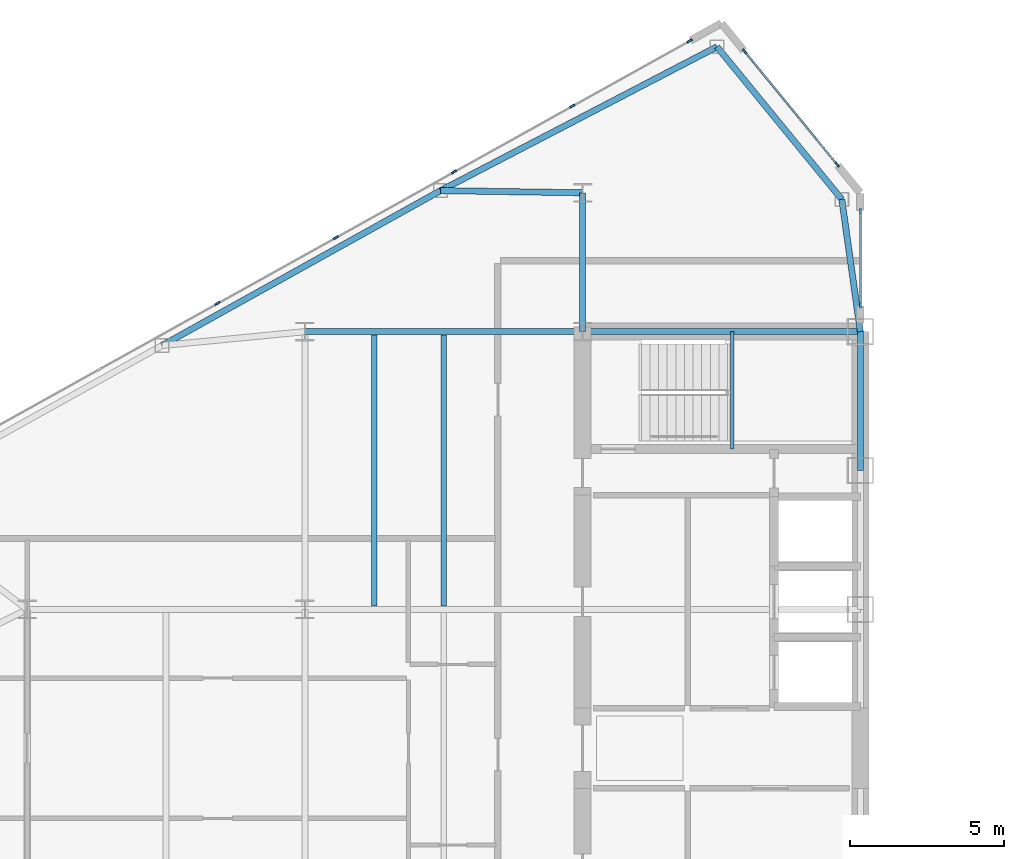
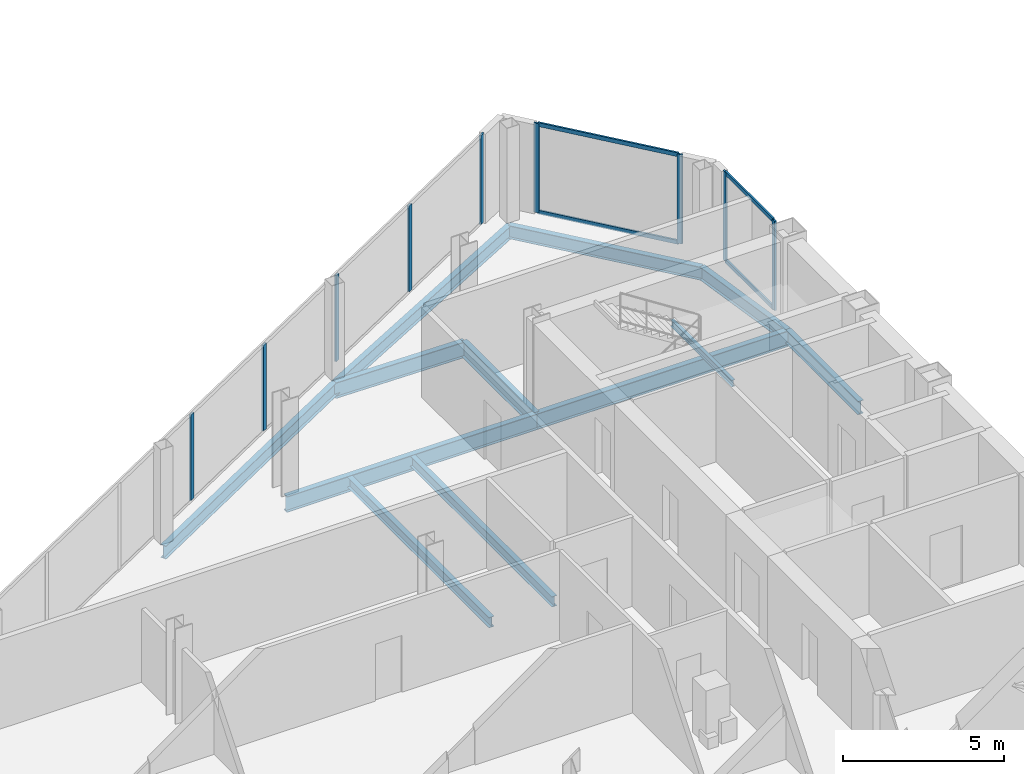
# One storey, part 10 of 25: 13 members, 12 beams, 3 elements without a shape of their own.
"""IFC4 building model written with IfcOpenShell, lengths in metres."""

from ifc_helpers import new_model, si_unit, direction, frame, origin, origin_2d, place, context, subcontext, project, spatial, rectangle, i_section, extrude, source, transform, mapped, material, layer, layer_set, material_profile, profile_set, type_object, type_shapes, element, aggregate, save


model = new_model("IFC4")

# Units and contexts
model_context = context("Model", 3, precision=1e-05, world=origin(), true_north=direction((0.0, 1.0)))
body_context = subcontext(model_context, "Body", "Model", "MODEL_VIEW")
ifc_project = project(units=[si_unit("LENGTHUNIT", "METRE"), si_unit("AREAUNIT", "SQUARE_METRE"), si_unit("VOLUMEUNIT", "CUBIC_METRE"), si_unit("PLANEANGLEUNIT", "RADIAN"), si_unit("MASSUNIT", "GRAM", prefix="KILO")], contexts=[model_context])

# Site, building, storey
site_placement = place(None, origin())
site = spatial("IfcSite", under=ifc_project, at=site_placement, CompositionType="ELEMENT")
building_placement = place(site_placement, origin())
building = spatial("IfcBuilding", under=site, at=building_placement, Name="Seokmaru Belvedere", CompositionType="ELEMENT")
storey_placement = place(building_placement, frame((0.0, 0.0, 188.699951171875)))
storey = spatial("IfcBuildingStorey", under=building, at=storey_placement, Name="L50", CompositionType="ELEMENT", Elevation=188.699951171875)

# Beams
ifc_material_1 = material(Name="Steel SM355 (355 MPa)", Category="steel")
ifc_material_profile_1 = material_profile(ifc_material_1, i_section(OverallWidth=0.199951171875, OverallDepth=0.5, WebThickness=0.010009765625, FlangeThickness=0.01611328125, at=origin_2d()), Name="H-500x200x10x16")
ifc_profile_set_1 = profile_set([ifc_material_profile_1], Name="Steel SM355 (355 MPa)")
beam_type_1 = type_object("IfcBeamType", Name="Perimeter Spandrel Beam H-500", PredefinedType="SPANDREL", material=ifc_profile_set_1)
shared_shape_1 = source(origin(), body_context, "Body", "SweptSolid", [
    extrude(i_section(OverallWidth=0.199951171875, OverallDepth=0.5, WebThickness=0.010009765625, FlangeThickness=0.01611328125, at=origin_2d()), origin(), (0.0, 0.0, 1.0), 4.5),
])
beam_1_placement = place(storey_placement, frame((-27.5, 9.0, -0.469970703125), z_axis=(0.0, 1.0, 0.0), x_axis=(-1.0, 0.0, 0.0)))
element("IfcBeam", 1, at=beam_1_placement, inside=storey, type_object=beam_type_1, Name="L50 W Portal Spine Spandrel 5", PredefinedType="SPANDREL", context=body_context, shape_type="MappedRepresentation", body=[
    mapped(shared_shape_1, transform((0.0, 0.0, 0.0), scale=1.0)),
])
ifc_material_profile_2 = material_profile(ifc_material_1, i_section(OverallWidth=0.199951171875, OverallDepth=0.60009765625, WebThickness=0.010986328125, FlangeThickness=0.01708984375, at=origin_2d()), Name="H-600x200x11x17")
ifc_profile_set_2 = profile_set([ifc_material_profile_2], Name="Steel SM355 (355 MPa)")
beam_type_2 = type_object("IfcBeamType", Name="Primary Floor Girder H-600", PredefinedType="BEAM", material=ifc_profile_set_2)
shared_shape_2 = source(origin(), body_context, "Body", "SweptSolid", [
    extrude(i_section(OverallWidth=0.199951171875, OverallDepth=0.60009765625, WebThickness=0.010986328125, FlangeThickness=0.01708984375, at=origin_2d()), origin(), (0.0, 0.0, 1.0), 9.0),
])
for number, where, z_axis, x_axis, name in (
    (2, (-36.5, 13.5, -0.52001953125), (1.0, 0.0, 0.0), (0.0, 1.0, 0.0), "L50 W Core Tie Girder 4"),
    (3, (-45.5, 13.5, -0.52001953125), (1.0, 0.0, 0.0), (0.0, 1.0, 0.0), "L50 W Wing Primary Girder 4"),
):
    element("IfcBeam", number, at=place(storey_placement, frame(where, z_axis=z_axis, x_axis=x_axis)), inside=storey, type_object=beam_type_2, Name=name, PredefinedType="BEAM", context=body_context, shape_type="MappedRepresentation", body=[
        mapped(shared_shape_2, transform((0.0, 0.0, 0.0), scale=1.0)),
    ])
ifc_material_profile_3 = material_profile(ifc_material_1, i_section(OverallWidth=0.18505859375, OverallDepth=0.389892578125, WebThickness=0.008056640625, FlangeThickness=0.011962890625, at=origin_2d()), Name="H-390x185x8x12")
ifc_profile_set_3 = profile_set([ifc_material_profile_3], Name="Steel SM355 (355 MPa)")
beam_type_3 = type_object("IfcBeamType", Name="Secondary Floor Joist H-350", PredefinedType="JOIST", material=ifc_profile_set_3)
shared_shape_3 = source(origin(), body_context, "Body", "SweptSolid", [
    extrude(i_section(OverallWidth=0.18505859375, OverallDepth=0.389892578125, WebThickness=0.008056640625, FlangeThickness=0.011962890625, at=origin_2d()), origin(), (0.0, 0.0, 1.0), 8.7900390625),
])
type_shapes(beam_type_3, [shared_shape_3])
for number, where, z_axis, x_axis, name in (
    (4, (-43.25, 4.60498046875, -0.4150390625), (0.0, 1.0, 0.0), (-1.0, 0.0, 0.0), "L50 W Wing Inner Secondary Joist 2"),
    (5, (-41.0, 4.60498046875, -0.4150390625), (0.0, 1.0, 0.0), (-1.0, 0.0, 0.0), "L50 W Secondary Floor Joist 3"),
):
    element("IfcBeam", number, at=place(storey_placement, frame(where, z_axis=z_axis, x_axis=x_axis)), inside=storey, type_object=beam_type_3, Name=name, PredefinedType="JOIST", context=body_context, shape_type="MappedRepresentation", body=[
        mapped(shared_shape_3, transform((0.0, 0.0, 0.0), scale=1.0)),
    ])
shared_shape_4 = source(origin(), body_context, "Body", "SweptSolid", [
    extrude(i_section(OverallWidth=0.199951171875, OverallDepth=0.60009765625, WebThickness=0.010986328125, FlangeThickness=0.01708984375, at=origin_2d()), origin(), (0.0, 0.0, 1.0), 4.5),
])
beam_2_placement = place(storey_placement, frame((-36.5, 13.5, -0.52001953125), z_axis=(0.0, 1.0, 0.0), x_axis=(-1.0, 0.0, 0.0)))
element("IfcBeam", 6, at=beam_2_placement, inside=storey, type_object=beam_type_2, Name="L50 W Core Shoulder Girder N", PredefinedType="BEAM", context=body_context, shape_type="MappedRepresentation", body=[
    mapped(shared_shape_4, transform((0.0, 0.0, 0.0), scale=1.0)),
])
shared_shape_5 = source(origin(), body_context, "Body", "SweptSolid", [
    extrude(i_section(OverallWidth=0.199951171875, OverallDepth=0.5, WebThickness=0.010009765625, FlangeThickness=0.01611328125, at=origin_2d()), origin(), (0.0, 0.0, 1.0), 10.09716796875),
])
beam_3_placement = place(storey_placement, frame((-32.146728515625, 22.731689453125, -0.469970703125), z_axis=(-0.887085728914, -0.461604711369, 0.0), x_axis=(0.461604711369, -0.887085728914, 0.0)))
element("IfcBeam", 7, at=beam_3_placement, inside=storey, type_object=beam_type_1, Name="L50 W Faceted Flank Spandrel N-1", PredefinedType="SPANDREL", context=body_context, shape_type="MappedRepresentation", body=[
    mapped(shared_shape_5, transform((0.0, 0.0, 0.0), scale=1.0)),
])
shared_shape_6 = source(origin(), body_context, "Body", "SweptSolid", [
    extrude(i_section(OverallWidth=0.199951171875, OverallDepth=0.5, WebThickness=0.010009765625, FlangeThickness=0.01611328125, at=origin_2d()), origin(), (0.0, 0.0, 1.0), 10.327392578125),
])
beam_4_placement = place(storey_placement, frame((-41.103759765625, 18.07080078125, -0.469970703125), z_axis=(-0.873924120588, -0.486062374037, 0.0), x_axis=(0.486062374037, -0.873924120588, 0.0)))
element("IfcBeam", 8, at=beam_4_placement, inside=storey, type_object=beam_type_1, Name="L50 W Faceted Flank Spandrel N-2", PredefinedType="SPANDREL", context=body_context, shape_type="MappedRepresentation", body=[
    mapped(shared_shape_6, transform((0.0, 0.0, 0.0), scale=1.0)),
])
shared_shape_7 = source(origin(), body_context, "Body", "SweptSolid", [
    extrude(i_section(OverallWidth=0.199951171875, OverallDepth=0.5, WebThickness=0.010009765625, FlangeThickness=0.01611328125, at=origin_2d()), origin(), (0.0, 0.0, 1.0), 6.390380859375),
])
beam_5_placement = place(storey_placement, frame((-32.146728515625, 22.731689453125, -0.469970703125), z_axis=(0.63324403161, -0.7739521926, 0.0), x_axis=(0.7739521926, 0.63324403161, 0.0)))
element("IfcBeam", 9, at=beam_5_placement, inside=storey, type_object=beam_type_1, Name="L50 W Shoulder Chamfer Spandrel N", PredefinedType="SPANDREL", context=body_context, shape_type="MappedRepresentation", body=[
    mapped(shared_shape_7, transform((0.0, 0.0, 0.0), scale=1.0)),
])
shared_shape_8 = source(origin(), body_context, "Body", "SweptSolid", [
    extrude(i_section(OverallWidth=0.199951171875, OverallDepth=0.5, WebThickness=0.010009765625, FlangeThickness=0.01611328125, at=origin_2d()), origin(), (0.0, 0.0, 1.0), 4.32763671875),
])
type_shapes(beam_type_1, [shared_shape_1, shared_shape_5, shared_shape_6, shared_shape_7, shared_shape_8])
beam_6_placement = place(storey_placement, frame((-28.10009765625, 17.785888671875, -0.469970703125), z_axis=(0.138664443237, -0.990339422714, 0.0), x_axis=(0.990339422714, 0.138664443237, 0.0)))
element("IfcBeam", 10, at=beam_6_placement, inside=storey, type_object=beam_type_1, Name="L50 W Shoulder Spine Spandrel N", PredefinedType="SPANDREL", context=body_context, shape_type="MappedRepresentation", body=[
    mapped(shared_shape_8, transform((0.0, 0.0, 0.0), scale=1.0)),
])
shared_shape_9 = source(origin(), body_context, "Body", "SweptSolid", [
    extrude(i_section(OverallWidth=0.199951171875, OverallDepth=0.60009765625, WebThickness=0.010986328125, FlangeThickness=0.01708984375, at=origin_2d()), origin(), (0.0, 0.0, 1.0), 4.604248046875),
])
type_shapes(beam_type_2, [shared_shape_2, shared_shape_4, shared_shape_9])
beam_7_placement = place(storey_placement, frame((-41.103759765625, 18.07080078125, -0.52001953125), z_axis=(0.999881765622, -0.01537708607, 0.0), x_axis=(0.01537708607, 0.999881765622, 0.0)))
element("IfcBeam", 11, at=beam_7_placement, inside=storey, type_object=beam_type_2, Name="L50 W Flank Radial Floor Girder N-1", PredefinedType="BEAM", context=body_context, shape_type="MappedRepresentation", body=[
    mapped(shared_shape_9, transform((0.0, 0.0, 0.0), scale=1.0)),
])

# Curtain wall, members
ifc_material_2 = material(Name="Bronze Triple Insulating Glass", Category="glass")
ifc_layer = layer(ifc_material_2, 0.179931640625)
ifc_layer_set = layer_set([ifc_layer], Name="Bronze Triple Insulating Glass")
curtain_wall_type = type_object("IfcCurtainWallType", Name="High-Rise Wind-Corner Curtain Wall System CW-5", PredefinedType="NOTDEFINED", material=ifc_layer_set)
curtain_wall_1_placement = place(storey_placement, origin())
curtain_wall_1 = element("IfcCurtainWall", 12, at=curtain_wall_1_placement, inside=storey, type_object=curtain_wall_type, Name="L50 Curtain Wall WSP_2", PredefinedType="NOTDEFINED")
ifc_material_3 = material(Name="Anodised Bronze Aluminium", Category="aluminium")
ifc_material_profile_4 = material_profile(ifc_material_3, rectangle(XDim=0.06494140625, YDim=0.14990234375, at=origin_2d()), Name="CW-T-65x150")
ifc_profile_set_4 = profile_set([ifc_material_profile_4], Name="Anodised Bronze Aluminium")
member_type_1 = type_object("IfcMemberType", Name="Bronze Unitised Transom 65x150", PredefinedType="USERDEFINED", material=ifc_profile_set_4)
shared_shape_10 = source(origin(), body_context, "Body", "SweptSolid", [
    extrude(rectangle(XDim=0.06494140625, YDim=0.14990234375, at=origin_2d()), origin(), (0.0, 0.0, 1.0), 2.969970703125),
])
member_1_placement = place(storey_placement, frame((-27.5, 14.39501953125, 0.032470703125), z_axis=(0.0, 1.0, 0.0), x_axis=(-1.0, 0.0, 0.0)))
member_1 = element("IfcMember", 13, at=member_1_placement, type_object=member_type_1, Name="CW:L50:WSP_2 Continuous Transom 1", ObjectType="TRANSOM", PredefinedType="USERDEFINED", context=body_context, shape_type="MappedRepresentation", body=[
    mapped(shared_shape_10, transform((0.0, 0.0, 0.0), scale=1.0)),
])
member_2_placement = place(storey_placement, frame((-27.5, 14.39501953125, 3.34765625), z_axis=(0.0, 1.0, 0.0), x_axis=(-1.0, 0.0, 0.0)))
member_2 = element("IfcMember", 14, at=member_2_placement, type_object=member_type_1, Name="CW:L50:WSP_2 Continuous Transom 2", ObjectType="TRANSOM", PredefinedType="USERDEFINED", context=body_context, shape_type="MappedRepresentation", body=[
    mapped(shared_shape_10, transform((0.0, 0.0, 0.0), scale=1.0)),
])

curtain_wall_2_placement = place(storey_placement, origin())
curtain_wall_2 = element("IfcCurtainWall", 15, at=curtain_wall_2_placement, inside=storey, type_object=curtain_wall_type, Name="L50 Curtain Wall WF2", PredefinedType="NOTDEFINED")
shared_shape_11 = source(origin(), body_context, "Body", "SweptSolid", [
    extrude(rectangle(XDim=0.06494140625, YDim=0.14990234375, at=origin_2d()), origin(), (0.0, 0.0, 1.0), 4.67626953125),
])
type_shapes(member_type_1, [shared_shape_10, shared_shape_11])
member_3_placement = place(storey_placement, frame((-28.269287109375, 18.9404296875, 0.032470703125), z_axis=(-0.633277591216, 0.773924733074, 0.0), x_axis=(-0.773924733074, -0.633277591216, 0.0)))
member_3 = element("IfcMember", 16, at=member_3_placement, type_object=member_type_1, Name="CW:L50:WF2 Continuous Transom 1", ObjectType="TRANSOM", PredefinedType="USERDEFINED", context=body_context, shape_type="MappedRepresentation", body=[
    mapped(shared_shape_11, transform((0.0, 0.0, 0.0), scale=1.0)),
])
member_4_placement = place(storey_placement, frame((-28.269287109375, 18.9404296875, 3.34765625), z_axis=(-0.633277591216, 0.773924733074, 0.0), x_axis=(-0.773924733074, -0.633277591216, 0.0)))
member_4 = element("IfcMember", 17, at=member_4_placement, type_object=member_type_1, Name="CW:L50:WF2 Continuous Transom 2", ObjectType="TRANSOM", PredefinedType="USERDEFINED", context=body_context, shape_type="MappedRepresentation", body=[
    mapped(shared_shape_11, transform((0.0, 0.0, 0.0), scale=1.0)),
])

curtain_wall_3_placement = place(storey_placement, origin())
curtain_wall_3 = element("IfcCurtainWall", 18, at=curtain_wall_3_placement, inside=storey, type_object=curtain_wall_type, Name="L50 Curtain Wall WF3", PredefinedType="NOTDEFINED")
ifc_material_profile_5 = material_profile(ifc_material_3, rectangle(XDim=0.06494140625, YDim=0.179931640625, at=origin_2d()), Name="CW-M-65x180")
ifc_profile_set_5 = profile_set([ifc_material_profile_5], Name="Anodised Bronze Aluminium")
member_type_2 = type_object("IfcMemberType", Name="Bronze Unitised Mullion 65x180", PredefinedType="MULLION", material=ifc_profile_set_5)
shared_shape_12 = source(origin(), body_context, "Body", "SweptSolid", [
    extrude(rectangle(XDim=0.06494140625, YDim=0.179931640625, at=origin_2d()), origin(), (0.0, 0.0, 1.0), 3.25),
])
member_5_placement = place(storey_placement, frame((-36.837158203125, 20.809814453125, 0.06494140625), z_axis=(0.0, 0.0, 1.0), x_axis=(0.486047125147, -0.873932601598, 0.0)))
member_5 = element("IfcMember", 19, at=member_5_placement, type_object=member_type_2, Name="CW:L50:WF3 Mullion 2", PredefinedType="MULLION", context=body_context, shape_type="MappedRepresentation", body=[
    mapped(shared_shape_12, transform((0.0, 0.0, 0.0), scale=1.0)),
])
member_6_placement = place(storey_placement, frame((-40.66943359375, 18.67822265625, 0.06494140625), z_axis=(0.0, 0.0, 1.0), x_axis=(0.486047125147, -0.873932601598, 0.0)))
member_6 = element("IfcMember", 20, at=member_6_placement, type_object=member_type_2, Name="CW:L50:WF3 Mullion 3", PredefinedType="MULLION", context=body_context, shape_type="MappedRepresentation", body=[
    mapped(shared_shape_12, transform((0.0, 0.0, 0.0), scale=1.0)),
])
member_7_placement = place(storey_placement, frame((-44.501708984375, 16.547119140625, 0.06494140625), z_axis=(0.0, 0.0, 1.0), x_axis=(0.486047125147, -0.873932601598, 0.0)))
member_7 = element("IfcMember", 21, at=member_7_placement, type_object=member_type_2, Name="CW:L50:WF3 Mullion 4", PredefinedType="MULLION", context=body_context, shape_type="MappedRepresentation", body=[
    mapped(shared_shape_12, transform((0.0, 0.0, 0.0), scale=1.0)),
])
member_8_placement = place(storey_placement, frame((-48.333984375, 14.415771484375, 0.06494140625), z_axis=(0.0, 0.0, 1.0), x_axis=(0.486047125147, -0.873932601598, 0.0)))
member_8 = element("IfcMember", 22, at=member_8_placement, type_object=member_type_2, Name="CW:L50:WF3 Mullion 5", PredefinedType="MULLION", context=body_context, shape_type="MappedRepresentation", body=[
    mapped(shared_shape_12, transform((0.0, 0.0, 0.0), scale=1.0)),
])

# Member
shared_shape_13 = source(origin(), body_context, "Body", "SweptSolid", [
    extrude(rectangle(XDim=0.06494140625, YDim=0.179931640625, at=origin_2d()), origin(), (0.0, 0.0, 1.0), 3.380126953125),
])
type_shapes(member_type_2, [shared_shape_12, shared_shape_13])
member_9_placement = place(storey_placement, frame((-27.5, 14.362548828125, 0.0), z_axis=(0.0, 0.0, 1.0), x_axis=(-1.0, 0.0, 0.0)))
member_9 = element("IfcMember", 23, at=member_9_placement, type_object=member_type_2, Name="CW:L50:WSP_2 Mullion 1", PredefinedType="MULLION", context=body_context, shape_type="MappedRepresentation", body=[
    mapped(shared_shape_13, transform((0.0, 0.0, 0.0), scale=1.0)),
])

member_10_placement = place(storey_placement, frame((-27.5, 17.3974609375, 0.0), z_axis=(0.0, 0.0, 1.0), x_axis=(-1.0, 0.0, 0.0)))
member_10 = element("IfcMember", 24, at=member_10_placement, type_object=member_type_2, Name="CW:L50:WSP_2 Mullion 2", PredefinedType="MULLION", context=body_context, shape_type="MappedRepresentation", body=[
    mapped(shared_shape_13, transform((0.0, 0.0, 0.0), scale=1.0)),
])

aggregate(curtain_wall_1, [member_9, member_10, member_1, member_2])

member_11_placement = place(storey_placement, frame((-28.248779296875, 18.915283203125, 0.0), z_axis=(0.0, 0.0, 1.0), x_axis=(-0.773944112379, -0.633253907144, 0.0)))
member_11 = element("IfcMember", 25, at=member_11_placement, type_object=member_type_2, Name="CW:L50:WF2 Mullion 1", PredefinedType="MULLION", context=body_context, shape_type="MappedRepresentation", body=[
    mapped(shared_shape_13, transform((0.0, 0.0, 0.0), scale=1.0)),
])

member_12_placement = place(storey_placement, frame((-31.251220703125, 22.584716796875, 0.0), z_axis=(0.0, 0.0, 1.0), x_axis=(-0.773944112379, -0.633253907144, 0.0)))
member_12 = element("IfcMember", 26, at=member_12_placement, type_object=member_type_2, Name="CW:L50:WF2 Mullion 2", PredefinedType="MULLION", context=body_context, shape_type="MappedRepresentation", body=[
    mapped(shared_shape_13, transform((0.0, 0.0, 0.0), scale=1.0)),
])

aggregate(curtain_wall_2, [member_11, member_12, member_3, member_4])

member_13_placement = place(storey_placement, frame((-33.033447265625, 22.92529296875, 0.0), z_axis=(0.0, 0.0, 1.0), x_axis=(0.486047125147, -0.873932601598, 0.0)))
member_13 = element("IfcMember", 27, at=member_13_placement, type_object=member_type_2, Name="CW:L50:WF3 Mullion 1", PredefinedType="MULLION", context=body_context, shape_type="MappedRepresentation", body=[
    mapped(shared_shape_13, transform((0.0, 0.0, 0.0), scale=1.0)),
])

aggregate(curtain_wall_3, [member_13, member_5, member_6, member_7, member_8])

# Beam
ifc_material_profile_6 = material_profile(ifc_material_1, i_section(OverallWidth=0.125, OverallDepth=0.25, WebThickness=0.006103515625, FlangeThickness=0.009033203125, at=origin_2d()), Name="H-250x125x6x9")
ifc_profile_set_6 = profile_set([ifc_material_profile_6], Name="Steel SM355 (355 MPa)")
beam_type_4 = type_object("IfcBeamType", Name="Stair Mid-Landing Support Beam H-250", PredefinedType="JOIST", material=ifc_profile_set_6)
shared_shape_14 = source(origin(), body_context, "Body", "SweptSolid", [
    extrude(i_section(OverallWidth=0.125, OverallDepth=0.25, WebThickness=0.006103515625, FlangeThickness=0.009033203125, at=origin_2d()), origin(), (0.0, 0.0, 1.0), 3.800048828125),
])
type_shapes(beam_type_4, [shared_shape_14])
beam_8_placement = place(storey_placement, frame((-31.64990234375, 9.699951171875, 1.47509765625), z_axis=(0.0, 1.0, 0.0), x_axis=(-1.0, 0.0, 0.0)))
element("IfcBeam", 28, at=beam_8_placement, inside=storey, type_object=beam_type_4, Name="L50 Stair ST-W2 Mid-Landing Support Beam 1", PredefinedType="JOIST", context=body_context, shape_type="MappedRepresentation", body=[
    mapped(shared_shape_14, transform((0.0, 0.0, 0.0), scale=1.0)),
])

save(model, "model.ifc")
